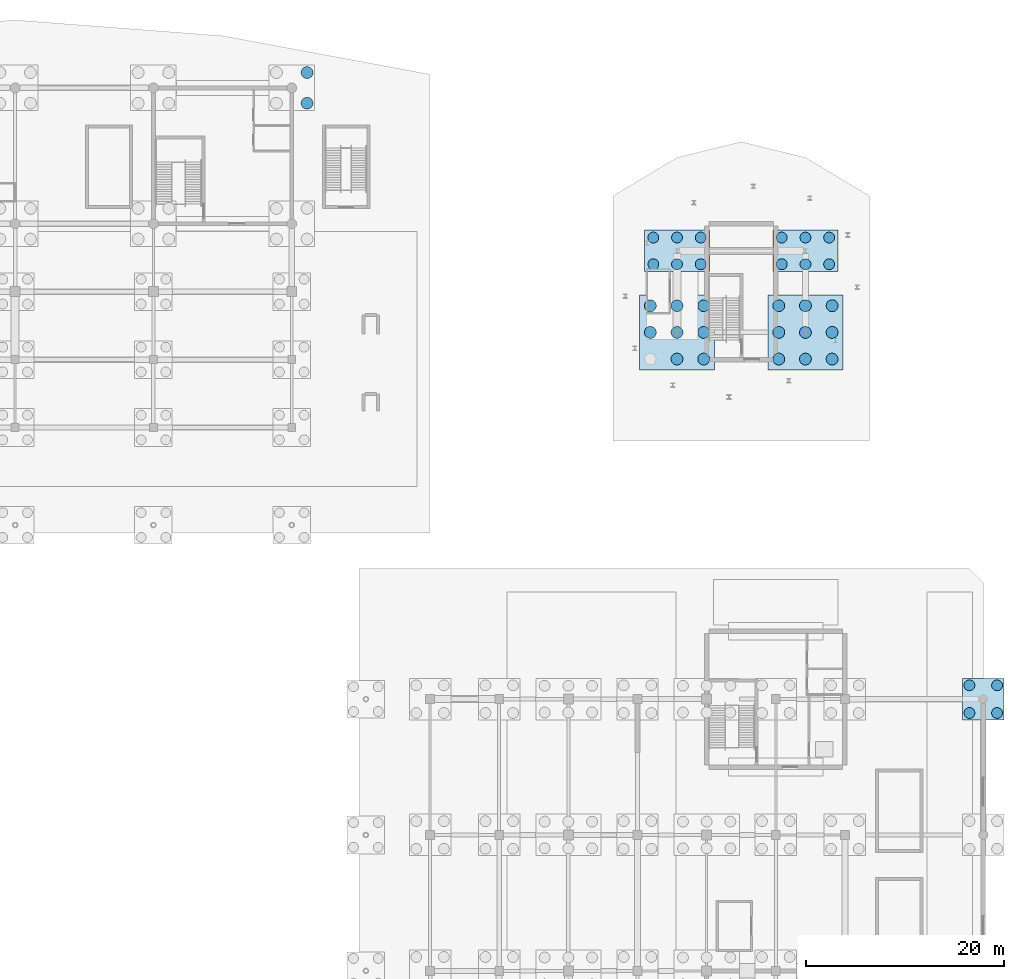
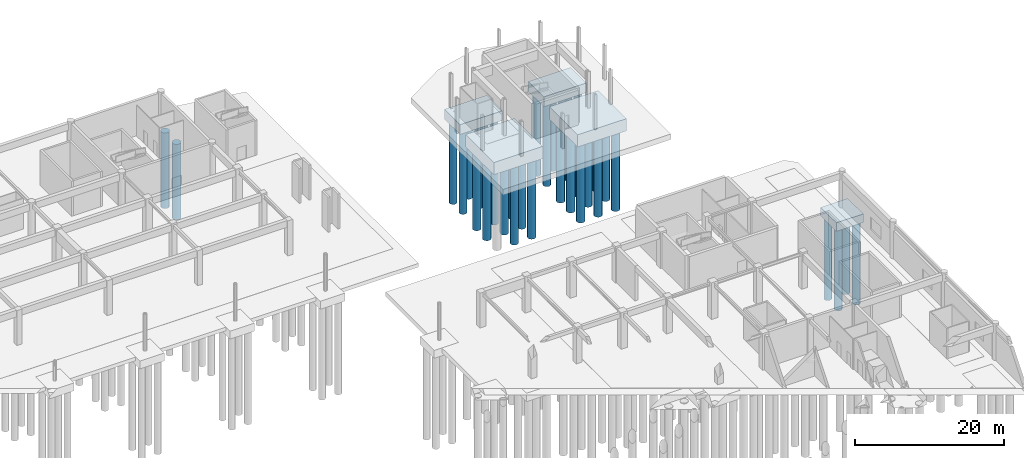
# One storey, part 7 of 62: 35 piles, 5 footings.
"""IFC4 building model written with IfcOpenShell, lengths in metres."""

from ifc_helpers import new_model, si_unit, direction, frame, origin, origin_2d, place, context, subcontext, project, spatial, rectangle, circle, extrude, material, material_profile, profile_set, type_object, element, save


model = new_model("IFC4")

# Units and contexts
model_context = context("Model", 3, precision=1e-05, world=origin(), true_north=direction((0.0, 1.0)))
body_context = subcontext(model_context, "Body", "Model", "MODEL_VIEW")
ifc_project = project(units=[si_unit("LENGTHUNIT", "METRE"), si_unit("AREAUNIT", "SQUARE_METRE"), si_unit("VOLUMEUNIT", "CUBIC_METRE"), si_unit("PLANEANGLEUNIT", "RADIAN"), si_unit("MASSUNIT", "GRAM", prefix="KILO")], contexts=[model_context])

# Site, building, storey
site_placement = place(None, origin())
site = spatial("IfcSite", under=ifc_project, at=site_placement, CompositionType="ELEMENT")
building_placement = place(site_placement, origin())
building = spatial("IfcBuilding", under=site, at=building_placement, Name="Linyun Crest Stadium", CompositionType="ELEMENT")
storey_placement = place(building_placement, frame((0.0, 0.0, -6.0)))
storey = spatial("IfcBuildingStorey", under=building, at=storey_placement, Name="B1", CompositionType="ELEMENT", Elevation=-6.0)

# Piles
ifc_material_1 = material(Name="Concrete C40", Category="concrete")
ifc_material_profile_1 = material_profile(ifc_material_1, circle(Radius=0.550048828125, at=origin_2d()), Name="BORED PILE 1100")
ifc_profile_set_1 = profile_set([ifc_material_profile_1], Name="Concrete C40")
pile_type_1 = type_object("IfcPileType", Name="P03", PredefinedType="BORED", material=ifc_profile_set_1)
for number, where, z_axis, x_axis, name in (
    (1, (96.60009765625, 41.97509765625, -2.050048828125), (0.0, 0.0, -1.0), (1.0, 0.0, 0.0), "Bored pile P03 573"),
    (2, (96.60009765625, 44.77490234375, -2.050048828125), (0.0, 0.0, -1.0), (1.0, 0.0, 0.0), "Bored pile P03 574"),
    (3, (99.39990234375, 41.97509765625, -2.050048828125), (0.0, 0.0, -1.0), (1.0, 0.0, 0.0), "Bored pile P03 575"),
    (4, (99.39990234375, 44.77490234375, -2.050048828125), (0.0, 0.0, -1.0), (1.0, 0.0, 0.0), "Bored pile P03 576"),
):
    element("IfcPile", number, at=place(storey_placement, frame(where, z_axis=z_axis, x_axis=x_axis)), inside=storey, type_object=pile_type_1, Name=name, PredefinedType="BORED", context=body_context, shape_type="SweptSolid", body=[
        extrude(circle(Radius=0.550048828125, at=origin_2d()), origin(), (0.0, 0.0, 1.0), 13.449951171875),
    ])
for number, where, z_axis, x_axis, name in (
    (5, (64.60009765625, 87.39990234375, -2.39990234375), (0.0, 0.0, -1.0), (1.0, 0.0, 0.0), "Bored pile P03 845"),
    (6, (64.60009765625, 90.10009765625, -2.39990234375), (0.0, 0.0, -1.0), (1.0, 0.0, 0.0), "Bored pile P03 846"),
    (7, (67.0, 87.39990234375, -2.39990234375), (0.0, 0.0, -1.0), (1.0, 0.0, 0.0), "Bored pile P03 847"),
    (8, (67.0, 90.10009765625, -2.39990234375), (0.0, 0.0, -1.0), (1.0, 0.0, 0.0), "Bored pile P03 848"),
    (9, (69.39990234375, 87.39990234375, -2.39990234375), (0.0, 0.0, -1.0), (1.0, 0.0, 0.0), "Bored pile P03 849"),
    (10, (69.39990234375, 90.10009765625, -2.39990234375), (0.0, 0.0, -1.0), (1.0, 0.0, 0.0), "Bored pile P03 850"),
    (11, (77.60009765625, 87.39990234375, -2.39990234375), (0.0, 0.0, -1.0), (1.0, 0.0, 0.0), "Bored pile P03 851"),
    (12, (77.60009765625, 90.10009765625, -2.39990234375), (0.0, 0.0, -1.0), (1.0, 0.0, 0.0), "Bored pile P03 852"),
    (13, (80.0, 87.39990234375, -2.39990234375), (0.0, 0.0, -1.0), (1.0, 0.0, 0.0), "Bored pile P03 853"),
    (14, (80.0, 90.10009765625, -2.39990234375), (0.0, 0.0, -1.0), (1.0, 0.0, 0.0), "Bored pile P03 854"),
    (15, (82.39990234375, 87.39990234375, -2.39990234375), (0.0, 0.0, -1.0), (1.0, 0.0, 0.0), "Bored pile P03 855"),
    (16, (82.39990234375, 90.10009765625, -2.39990234375), (0.0, 0.0, -1.0), (1.0, 0.0, 0.0), "Bored pile P03 856"),
):
    element("IfcPile", number, at=place(storey_placement, frame(where, z_axis=z_axis, x_axis=x_axis)), inside=storey, type_object=pile_type_1, Name=name, PredefinedType="BORED", context=body_context, shape_type="SweptSolid", body=[
        extrude(circle(Radius=0.550048828125, at=origin_2d()), origin(), (0.0, 0.0, 1.0), 13.60009765625),
    ])
ifc_material_2 = material(Name="Concrete C40", Category="concrete")
ifc_material_profile_2 = material_profile(ifc_material_2, circle(Radius=0.60009765625, at=origin_2d()), Name="BORED PILE 1200")
ifc_profile_set_2 = profile_set([ifc_material_profile_2], Name="Concrete C40")
pile_type_2 = type_object("IfcPileType", Name="P04", PredefinedType="BORED", material=ifc_profile_set_2)
for number, where, z_axis, x_axis, name in (
    (17, (29.550048828125, 103.699951171875, -2.10009765625), (0.0, 0.0, -1.0), (1.0, 0.0, 0.0), "Bored pile P04 675"),
    (18, (29.550048828125, 106.800048828125, -2.10009765625), (0.0, 0.0, -1.0), (1.0, 0.0, 0.0), "Bored pile P04 676"),
):
    element("IfcPile", number, at=place(storey_placement, frame(where, z_axis=z_axis, x_axis=x_axis)), inside=storey, type_object=pile_type_2, Name=name, PredefinedType="BORED", context=body_context, shape_type="SweptSolid", body=[
        extrude(circle(Radius=0.60009765625, at=origin_2d()), origin(), (0.0, 0.0, 1.0), 12.39990234375),
    ])
for number, where, z_axis, x_axis, name in (
    (19, (64.300048828125, 80.5, -2.800048828125), (0.0, 0.0, -1.0), (1.0, 0.0, 0.0), "Bored pile P04 828"),
    (20, (64.300048828125, 83.199951171875, -2.800048828125), (0.0, 0.0, -1.0), (1.0, 0.0, 0.0), "Bored pile P04 829"),
    (21, (67.0, 77.800048828125, -2.800048828125), (0.0, 0.0, -1.0), (1.0, 0.0, 0.0), "Bored pile P04 830"),
    (22, (67.0, 80.5, -2.800048828125), (0.0, 0.0, -1.0), (1.0, 0.0, 0.0), "Bored pile P04 831"),
    (23, (67.0, 83.199951171875, -2.800048828125), (0.0, 0.0, -1.0), (1.0, 0.0, 0.0), "Bored pile P04 832"),
    (24, (69.699951171875, 77.800048828125, -2.800048828125), (0.0, 0.0, -1.0), (1.0, 0.0, 0.0), "Bored pile P04 833"),
    (25, (69.699951171875, 80.5, -2.800048828125), (0.0, 0.0, -1.0), (1.0, 0.0, 0.0), "Bored pile P04 834"),
    (26, (69.699951171875, 83.199951171875, -2.800048828125), (0.0, 0.0, -1.0), (1.0, 0.0, 0.0), "Bored pile P04 835"),
    (27, (77.300048828125, 77.800048828125, -2.800048828125), (0.0, 0.0, -1.0), (1.0, 0.0, 0.0), "Bored pile P04 836"),
    (28, (77.300048828125, 80.5, -2.800048828125), (0.0, 0.0, -1.0), (1.0, 0.0, 0.0), "Bored pile P04 837"),
    (29, (77.300048828125, 83.199951171875, -2.800048828125), (0.0, 0.0, -1.0), (1.0, 0.0, 0.0), "Bored pile P04 838"),
    (30, (80.0, 77.800048828125, -2.800048828125), (0.0, 0.0, -1.0), (1.0, 0.0, 0.0), "Bored pile P04 839"),
    (31, (80.0, 80.5, -2.800048828125), (0.0, 0.0, -1.0), (1.0, 0.0, 0.0), "Bored pile P04 840"),
    (32, (80.0, 83.199951171875, -2.800048828125), (0.0, 0.0, -1.0), (1.0, 0.0, 0.0), "Bored pile P04 841"),
    (33, (82.699951171875, 77.800048828125, -2.800048828125), (0.0, 0.0, -1.0), (1.0, 0.0, 0.0), "Bored pile P04 842"),
    (34, (82.699951171875, 80.5, -2.800048828125), (0.0, 0.0, -1.0), (1.0, 0.0, 0.0), "Bored pile P04 843"),
    (35, (82.699951171875, 83.199951171875, -2.800048828125), (0.0, 0.0, -1.0), (1.0, 0.0, 0.0), "Bored pile P04 844"),
):
    element("IfcPile", number, at=place(storey_placement, frame(where, z_axis=z_axis, x_axis=x_axis)), inside=storey, type_object=pile_type_2, Name=name, PredefinedType="BORED", context=body_context, shape_type="SweptSolid", body=[
        extrude(circle(Radius=0.60009765625, at=origin_2d()), origin(), (0.0, 0.0, 1.0), 13.199951171875),
    ])

# Footings
ifc_material_3 = material(Name="Concrete C40", Category="concrete")
footing_type_1 = type_object("IfcFootingType", Name="PC03", PredefinedType="PILE_CAP", material=ifc_material_3)
footing_placement = place(storey_placement, frame((98.0, 43.375, -2.14990234375), z_axis=(0.0, 0.0, 1.0), x_axis=(1.0, 0.0, 0.0)))
element("IfcFooting", 36, at=footing_placement, inside=storey, type_object=footing_type_1, Name="Foundation PC03 128", PredefinedType="PILE_CAP", context=body_context, shape_type="SweptSolid", body=[
    extrude(rectangle(XDim=4.199951171875, YDim=4.199951171875, at=origin_2d()), origin(), (0.0, 0.0, 1.0), 1.39990234375),
])
ifc_material_4 = material(Name="Concrete C40", Category="concrete")
footing_type_2 = type_object("IfcFootingType", Name="PC05", PredefinedType="PILE_CAP", material=ifc_material_4)
for number, where, z_axis, x_axis, name in (
    (37, (67.0, 88.75, -2.5), (0.0, 0.0, 1.0), (1.0, 0.0, 0.0), "Foundation PC05 190"),
    (38, (80.0, 88.75, -2.5), (0.0, 0.0, 1.0), (1.0, 0.0, 0.0), "Foundation PC05 191"),
):
    element("IfcFooting", number, at=place(storey_placement, frame(where, z_axis=z_axis, x_axis=x_axis)), inside=storey, type_object=footing_type_2, Name=name, PredefinedType="PILE_CAP", context=body_context, shape_type="SweptSolid", body=[
        extrude(rectangle(XDim=6.60009765625, YDim=4.199951171875, at=origin_2d()), origin(), (0.0, 0.0, 1.0), 1.60009765625),
    ])
ifc_material_5 = material(Name="Concrete C40", Category="concrete")
footing_type_3 = type_object("IfcFootingType", Name="PC07", PredefinedType="PILE_CAP", material=ifc_material_5)
for number, where, z_axis, x_axis, name in (
    (39, (67.0, 80.5, -2.89990234375), (0.0, 0.0, 1.0), (1.0, 0.0, 0.0), "Foundation PC07 188"),
    (40, (80.0, 80.5, -2.89990234375), (0.0, 0.0, 1.0), (1.0, 0.0, 0.0), "Foundation PC07 189"),
):
    element("IfcFooting", number, at=place(storey_placement, frame(where, z_axis=z_axis, x_axis=x_axis)), inside=storey, type_object=footing_type_3, Name=name, PredefinedType="PILE_CAP", context=body_context, shape_type="SweptSolid", body=[
        extrude(rectangle(XDim=7.60009765625, YDim=7.60009765625, at=origin_2d()), origin(), (0.0, 0.0, 1.0), 2.0),
    ])

save(model, "model.ifc")
